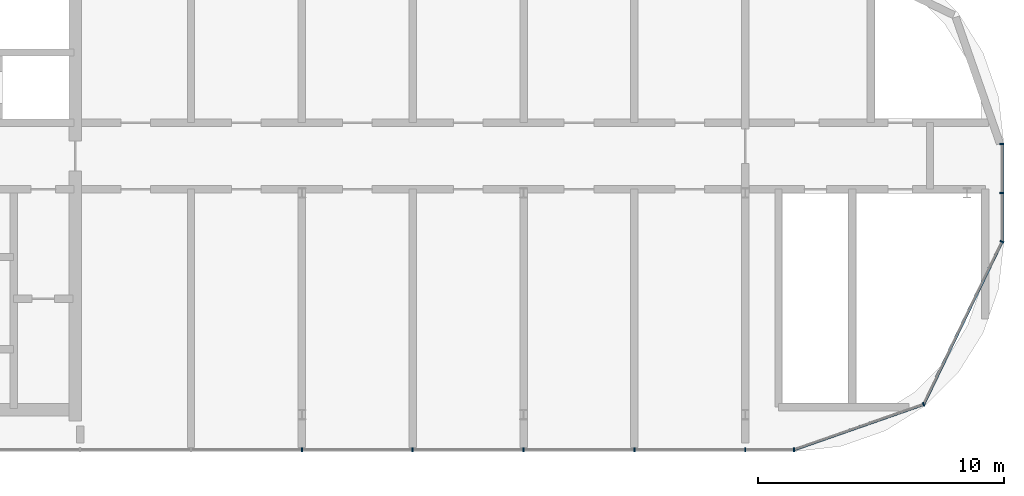
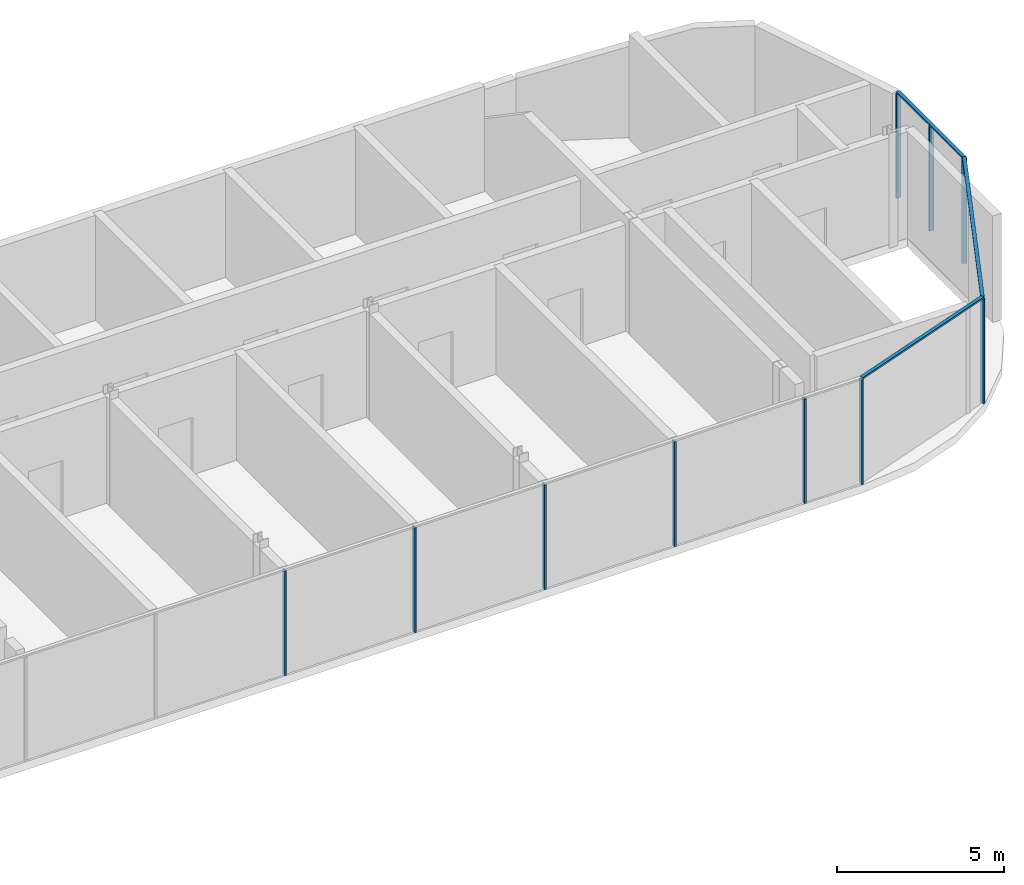
# One storey, part 5 of 9: 13 members, 4 elements without a shape of their own.
"""IFC4 building model written with IfcOpenShell, lengths in metres."""

from ifc_helpers import new_model, si_unit, direction, frame, origin, origin_2d, place, context, subcontext, project, spatial, rectangle, extrude, material, material_profile, profile_set, type_object, element, aggregate, save


model = new_model("IFC4")

# Units and contexts
model_context = context("Model", 3, precision=1e-05, world=origin(), true_north=direction((0.0, 1.0)))
body_context = subcontext(model_context, "Body", "Model", "MODEL_VIEW")
ifc_project = project(units=[si_unit("LENGTHUNIT", "METRE"), si_unit("AREAUNIT", "SQUARE_METRE"), si_unit("VOLUMEUNIT", "CUBIC_METRE"), si_unit("PLANEANGLEUNIT", "RADIAN"), si_unit("MASSUNIT", "GRAM", prefix="KILO")], contexts=[model_context])

# Site, building, storey
site_placement = place(None, origin())
site = spatial("IfcSite", under=ifc_project, at=site_placement, CompositionType="ELEMENT")
building_placement = place(site_placement, origin())
building = spatial("IfcBuilding", under=site, at=building_placement, Name="Ogive Portal Towers", CompositionType="ELEMENT")
storey_placement = place(building_placement, frame((0.0, 0.0, 281.300048828125)))
storey = spatial("IfcBuildingStorey", under=building, at=storey_placement, Name="L68", CompositionType="ELEMENT", Elevation=281.300048828125)

# Curtain wall, members
ifc_material_1 = material(Name="Glass, clear low-iron insulated glazing", Category="glass")
curtain_wall_type = type_object("IfcCurtainWallType", Name="CW CROWN GLAZING", PredefinedType="NOTDEFINED", material=ifc_material_1)
curtain_wall_1_placement = place(storey_placement, origin())
curtain_wall_1 = element("IfcCurtainWall", 1, at=curtain_wall_1_placement, inside=storey, type_object=curtain_wall_type, Name="A:L68:c06:cw", PredefinedType="NOTDEFINED")
ifc_material_2 = material(Name="Aluminium 6063 anodised", Category="aluminium")
ifc_material_profile_1 = material_profile(ifc_material_2, rectangle(XDim=0.159912109375, YDim=0.06005859375, at=origin_2d()), Name="AL 60x160")
ifc_profile_set_1 = profile_set([ifc_material_profile_1], Name="Aluminium 6063 anodised")
member_type_1 = type_object("IfcMemberType", Name="CW MULLION 60x160", PredefinedType="MULLION", material=ifc_profile_set_1)
member_1_placement = place(storey_placement, frame((67.5, 20.080078125, 0.0), z_axis=(0.0, 0.0, 1.0), x_axis=(0.0, 1.0, 0.0)))
member_1 = element("IfcMember", 2, at=member_1_placement, type_object=member_type_1, Name="mullion", PredefinedType="MULLION", context=body_context, shape_type="SweptSolid", body=[
    extrude(rectangle(XDim=0.159912109375, YDim=0.06005859375, at=origin_2d()), origin(), (0.0, 0.0, 1.0), 3.83984375),
])
member_2_placement = place(storey_placement, frame((72.0, 20.080078125, 0.0), z_axis=(0.0, 0.0, 1.0), x_axis=(0.0, 1.0, 0.0)))
member_2 = element("IfcMember", 3, at=member_2_placement, type_object=member_type_1, Name="mullion", PredefinedType="MULLION", context=body_context, shape_type="SweptSolid", body=[
    extrude(rectangle(XDim=0.159912109375, YDim=0.06005859375, at=origin_2d()), origin(), (0.0, 0.0, 1.0), 3.83984375),
])
member_3_placement = place(storey_placement, frame((76.5, 20.080078125, 0.0), z_axis=(0.0, 0.0, 1.0), x_axis=(0.0, 1.0, 0.0)))
member_3 = element("IfcMember", 4, at=member_3_placement, type_object=member_type_1, Name="mullion", PredefinedType="MULLION", context=body_context, shape_type="SweptSolid", body=[
    extrude(rectangle(XDim=0.159912109375, YDim=0.06005859375, at=origin_2d()), origin(), (0.0, 0.0, 1.0), 3.83984375),
])
member_4_placement = place(storey_placement, frame((81.0, 20.080078125, 0.0), z_axis=(0.0, 0.0, 1.0), x_axis=(0.0, 1.0, 0.0)))
member_4 = element("IfcMember", 5, at=member_4_placement, type_object=member_type_1, Name="mullion", PredefinedType="MULLION", context=body_context, shape_type="SweptSolid", body=[
    extrude(rectangle(XDim=0.159912109375, YDim=0.06005859375, at=origin_2d()), origin(), (0.0, 0.0, 1.0), 3.83984375),
])
member_5_placement = place(storey_placement, frame((85.5, 20.080078125, 0.0), z_axis=(0.0, 0.0, 1.0), x_axis=(0.0, 1.0, 0.0)))
member_5 = element("IfcMember", 6, at=member_5_placement, type_object=member_type_1, Name="mullion", PredefinedType="MULLION", context=body_context, shape_type="SweptSolid", body=[
    extrude(rectangle(XDim=0.159912109375, YDim=0.06005859375, at=origin_2d()), origin(), (0.0, 0.0, 1.0), 3.83984375),
])
member_6_placement = place(storey_placement, frame((87.486328125, 20.080078125, 0.0), z_axis=(0.0, 0.0, 1.0), x_axis=(0.0, 1.0, 0.0)))
member_6 = element("IfcMember", 7, at=member_6_placement, type_object=member_type_1, Name="mullion", PredefinedType="MULLION", context=body_context, shape_type="SweptSolid", body=[
    extrude(rectangle(XDim=0.159912109375, YDim=0.06005859375, at=origin_2d()), origin(), (0.0, 0.0, 1.0), 3.83984375),
])
aggregate(curtain_wall_1, [member_1, member_2, member_3, member_4, member_5, member_6])

# Curtain wall, member
curtain_wall_2_placement = place(storey_placement, origin())
curtain_wall_2 = element("IfcCurtainWall", 8, at=curtain_wall_2_placement, inside=storey, type_object=curtain_wall_type, Name="A:L68:c07:cw", PredefinedType="NOTDEFINED")
member_7_placement = place(storey_placement, frame((92.741943359375, 21.9189453125, 0.0), z_axis=(0.0, 0.0, 1.0), x_axis=(-0.33027906196, 0.943883330307, 0.0)))
member_7 = element("IfcMember", 9, at=member_7_placement, type_object=member_type_1, Name="mullion", PredefinedType="MULLION", context=body_context, shape_type="SweptSolid", body=[
    extrude(rectangle(XDim=0.159912109375, YDim=0.06005859375, at=origin_2d()), origin(), (0.0, 0.0, 1.0), 3.83984375),
])

curtain_wall_3_placement = place(storey_placement, origin())
curtain_wall_3 = element("IfcCurtainWall", 10, at=curtain_wall_3_placement, inside=storey, type_object=curtain_wall_type, Name="A:L68:c08:cw", PredefinedType="NOTDEFINED")
member_8_placement = place(storey_placement, frame((95.919921875, 28.518310546875, 0.0), z_axis=(0.0, 0.0, 1.0), x_axis=(-0.900968867905, 0.433883739113, 0.0)))
member_8 = element("IfcMember", 11, at=member_8_placement, type_object=member_type_1, Name="mullion", PredefinedType="MULLION", context=body_context, shape_type="SweptSolid", body=[
    extrude(rectangle(XDim=0.159912109375, YDim=0.06005859375, at=origin_2d()), origin(), (0.0, 0.0, 1.0), 3.83984375),
])

# Curtain wall, members
curtain_wall_4_placement = place(storey_placement, origin())
curtain_wall_4 = element("IfcCurtainWall", 12, at=curtain_wall_4_placement, inside=storey, type_object=curtain_wall_type, Name="A:L68:c09:cw", PredefinedType="NOTDEFINED")
member_9_placement = place(storey_placement, frame((95.919921875, 30.5, 0.0), z_axis=(0.0, 0.0, 1.0), x_axis=(-1.0, 0.0, 0.0)))
member_9 = element("IfcMember", 13, at=member_9_placement, type_object=member_type_1, Name="mullion", PredefinedType="MULLION", context=body_context, shape_type="SweptSolid", body=[
    extrude(rectangle(XDim=0.159912109375, YDim=0.06005859375, at=origin_2d()), origin(), (0.0, 0.0, 1.0), 3.83984375),
])
member_10_placement = place(storey_placement, frame((95.919921875, 32.486328125, 0.0), z_axis=(0.0, 0.0, 1.0), x_axis=(-1.0, 0.0, 0.0)))
member_10 = element("IfcMember", 14, at=member_10_placement, type_object=member_type_1, Name="mullion", PredefinedType="MULLION", context=body_context, shape_type="SweptSolid", body=[
    extrude(rectangle(XDim=0.159912109375, YDim=0.06005859375, at=origin_2d()), origin(), (0.0, 0.0, 1.0), 3.83984375),
])

# Member
ifc_material_profile_2 = material_profile(ifc_material_2, rectangle(XDim=0.1201171875, YDim=0.06005859375, at=origin_2d()), Name="AL 120x60")
ifc_profile_set_2 = profile_set([ifc_material_profile_2], Name="Aluminium 6063 anodised")
member_type_2 = type_object("IfcMemberType", Name="CW TRANSOM 60x120", PredefinedType="USERDEFINED", material=ifc_profile_set_2)
member_11_placement = place(storey_placement, frame((87.486328125, 20.080078125, 3.869873046875), z_axis=(0.943891847017, 0.330254721593, 0.0), x_axis=(-0.330254721593, 0.943891847017, 0.0)))
member_11 = element("IfcMember", 15, at=member_11_placement, type_object=member_type_2, Name="transom", ObjectType="TRANSOM", PredefinedType="USERDEFINED", context=body_context, shape_type="SweptSolid", body=[
    extrude(rectangle(XDim=0.1201171875, YDim=0.06005859375, at=origin_2d()), origin(), (0.0, 0.0, 1.0), 5.568115234375),
])

aggregate(curtain_wall_2, [member_11, member_7])

member_12_placement = place(storey_placement, frame((92.741943359375, 21.9189453125, 3.869873046875), z_axis=(0.433871738997, 0.900974646757, 0.0), x_axis=(-0.900974646757, 0.433871738997, 0.0)))
member_12 = element("IfcMember", 16, at=member_12_placement, type_object=member_type_2, Name="transom", ObjectType="TRANSOM", PredefinedType="USERDEFINED", context=body_context, shape_type="SweptSolid", body=[
    extrude(rectangle(XDim=0.1201171875, YDim=0.06005859375, at=origin_2d()), origin(), (0.0, 0.0, 1.0), 7.32470703125),
])

aggregate(curtain_wall_3, [member_12, member_8])

member_13_placement = place(storey_placement, frame((95.919921875, 28.518310546875, 3.869873046875), z_axis=(0.0, 1.0, 0.0), x_axis=(-1.0, 0.0, 0.0)))
member_13 = element("IfcMember", 17, at=member_13_placement, type_object=member_type_2, Name="transom", ObjectType="TRANSOM", PredefinedType="USERDEFINED", context=body_context, shape_type="SweptSolid", body=[
    extrude(rectangle(XDim=0.1201171875, YDim=0.06005859375, at=origin_2d()), origin(), (0.0, 0.0, 1.0), 3.968017578125),
])

aggregate(curtain_wall_4, [member_13, member_9, member_10])

save(model, "model.ifc")
